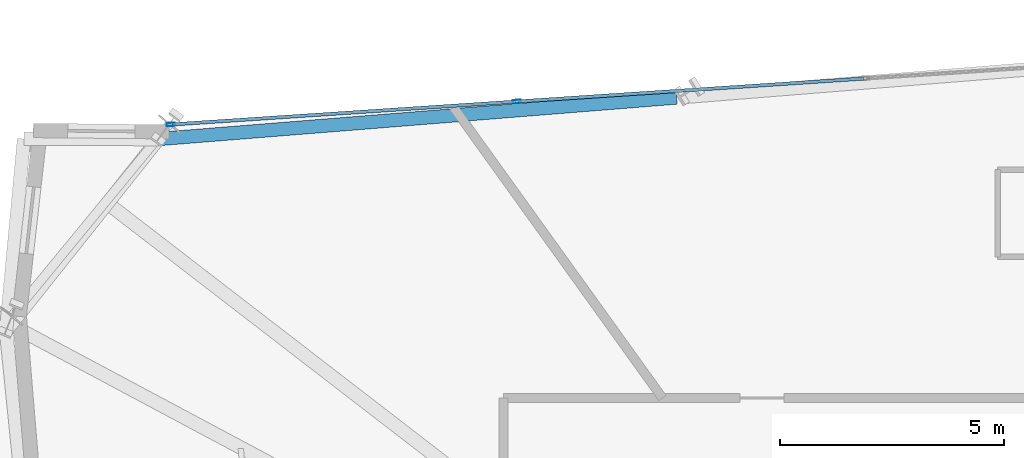
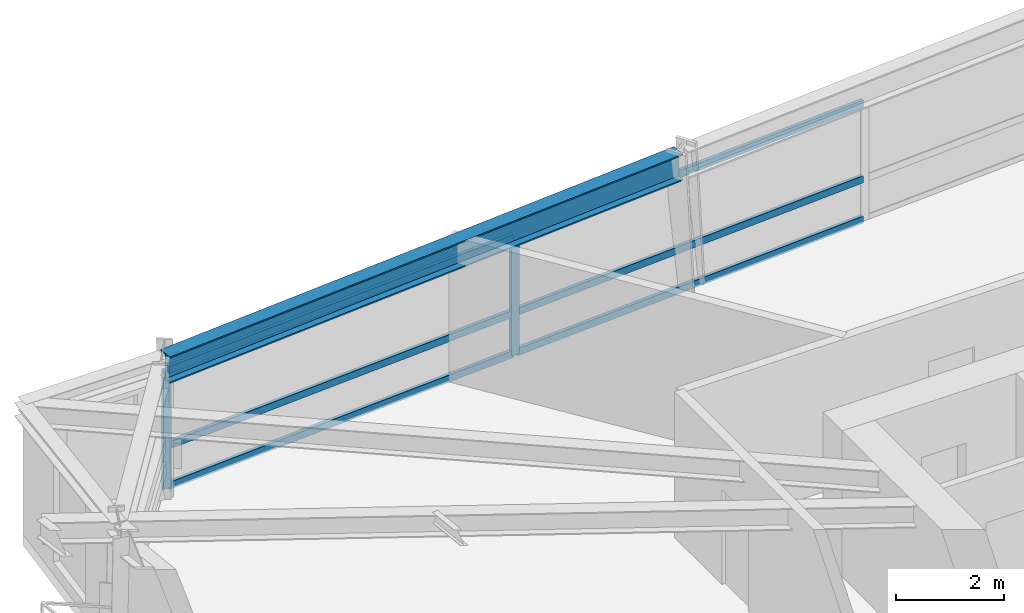
# One storey, part 7 of 21: 8 members, 1 beam, 1 element without a shape of its own.
"""IFC4 building model written with IfcOpenShell, lengths in metres."""

from ifc_helpers import new_model, si_unit, direction, frame, origin, origin_2d, place, context, subcontext, project, spatial, hollow_rectangle, i_section, extrude, source, transform, mapped, material, material_profile, profile_set, type_object, element, aggregate, save


model = new_model("IFC4")

# Units and contexts
model_context = context("Model", 3, precision=1e-05, world=origin(), true_north=direction((0.0, 1.0)))
body_context = subcontext(model_context, "Body", "Model", "MODEL_VIEW")
ifc_project = project(units=[si_unit("LENGTHUNIT", "METRE"), si_unit("AREAUNIT", "SQUARE_METRE"), si_unit("VOLUMEUNIT", "CUBIC_METRE"), si_unit("PLANEANGLEUNIT", "RADIAN"), si_unit("MASSUNIT", "GRAM", prefix="KILO")], contexts=[model_context])

# Site, building, storey
site_placement = place(None, origin())
site = spatial("IfcSite", under=ifc_project, at=site_placement, CompositionType="ELEMENT")
building_placement = place(site_placement, origin())
building = spatial("IfcBuilding", under=site, at=building_placement, Name="Olszyna Solenne Hotel", CompositionType="ELEMENT")
storey_placement = place(building_placement, frame((0.0, 0.0, 109.25)))
storey = spatial("IfcBuildingStorey", under=building, at=storey_placement, Name="L28", CompositionType="ELEMENT", Elevation=109.25)

# Beam
ifc_material_1 = material(Name="Steel S355J2", Category="steel")
ifc_material_profile_1 = material_profile(ifc_material_1, i_section(OverallWidth=0.300048828125, OverallDepth=0.60009765625, WebThickness=0.015380859375, FlangeThickness=0.030029296875, at=origin_2d()), Name="HEB 600", Category="load-bearing")
ifc_profile_set_1 = profile_set([ifc_material_profile_1], Name="Steel S355J2")
beam_type = type_object("IfcBeamType", Name="BM-S2", PredefinedType="BEAM", material=ifc_profile_set_1)
shared_shape_1 = source(origin(), body_context, "Body", "SweptSolid", [
    extrude(i_section(OverallWidth=0.300048828125, OverallDepth=0.60009765625, WebThickness=0.015380859375, FlangeThickness=0.030029296875, at=origin_2d()), origin(), (0.0, 0.0, 1.0), 11.541015625),
])
beam_placement = place(storey_placement, frame((31.308837890625, 43.056396484375, 3.0), z_axis=(-0.996802957591, -0.079899084714, 0.0), x_axis=(0.079899084714, -0.996802957591, 0.0)))
element("IfcBeam", 1, at=beam_placement, inside=storey, type_object=beam_type, Name="Perimeter spandrel beam BM-S2 B-L28-0842", PredefinedType="BEAM", context=body_context, shape_type="MappedRepresentation", body=[
    mapped(shared_shape_1, transform((0.0, 0.0, 0.0), x_axis=(1.0, 0.0, 0.0), y_axis=(0.0, 1.0, 0.0), z_axis=(0.0, 0.0, 1.0), scale=1.0)),
])

# Curtain wall, members
ifc_material_2 = material(Name="Anodised bronze aluminium", Category="aluminium")
curtain_wall_type = type_object("IfcCurtainWallType", Name="CW-SYS-3", PredefinedType="NOTDEFINED", material=ifc_material_2)
curtain_wall_placement = place(storey_placement, origin())
curtain_wall = element("IfcCurtainWall", 2, at=curtain_wall_placement, inside=storey, type_object=curtain_wall_type, Name="Unitised curtain wall CW-SYS-3 CW-L28-02", PredefinedType="NOTDEFINED")
ifc_material_profile_2 = material_profile(ifc_material_2, hollow_rectangle(XDim=0.074951171875, YDim=0.179931640625, WallThickness=0.00439453125, at=origin_2d()), Name="MULL 180x75x4.5", Category="load-bearing")
ifc_profile_set_2 = profile_set([ifc_material_profile_2], Name="Anodised bronze aluminium")
member_type_1 = type_object("IfcMemberType", Name="CW-M2", PredefinedType="MULLION", material=ifc_profile_set_2)
shared_shape_2 = source(origin(), body_context, "Body", "SweptSolid", [
    extrude(hollow_rectangle(XDim=0.074951171875, YDim=0.179931640625, WallThickness=0.00439453125, at=origin_2d()), origin(), (0.0, 0.0, 1.0), 2.69189453125),
])
member_1_placement = place(storey_placement, frame((20.017578125, 42.45361328125, 0.0), z_axis=(0.0, 0.0, 1.0), x_axis=(-0.06620041164, 0.997806346692, 0.0)))
member_1 = element("IfcMember", 3, at=member_1_placement, type_object=member_type_1, Name="Curtain-wall mullion CW-M2 CM-L28-02-01", PredefinedType="MULLION", context=body_context, shape_type="MappedRepresentation", body=[
    mapped(shared_shape_2, transform((0.0, 0.0, 0.0), x_axis=(1.0, 0.0, 0.0), y_axis=(0.0, 1.0, 0.0), z_axis=(0.0, 0.0, 1.0), scale=1.0)),
])
member_2_placement = place(storey_placement, frame((27.74755859375, 42.966552734375, 0.0), z_axis=(0.0, 0.0, 1.0), x_axis=(-0.06620041164, 0.997806346692, 0.0)))
member_2 = element("IfcMember", 4, at=member_2_placement, type_object=member_type_1, Name="Curtain-wall mullion CW-M2 CM-L28-02-02", PredefinedType="MULLION", context=body_context, shape_type="MappedRepresentation", body=[
    mapped(shared_shape_2, transform((0.0, 0.0, 0.0), x_axis=(1.0, 0.0, 0.0), y_axis=(0.0, 1.0, 0.0), z_axis=(0.0, 0.0, 1.0), scale=1.0)),
])
ifc_material_profile_3 = material_profile(ifc_material_2, hollow_rectangle(XDim=0.074951171875, YDim=0.159912109375, WallThickness=0.00390625, at=origin_2d()), Name="TRAN 160x75x4", Category="load-bearing")
ifc_profile_set_3 = profile_set([ifc_material_profile_3], Name="Anodised bronze aluminium")
member_type_2 = type_object("IfcMemberType", Name="CW-T1", PredefinedType="USERDEFINED", material=ifc_profile_set_3)
shared_shape_3 = source(origin(), body_context, "Body", "SweptSolid", [
    extrude(hollow_rectangle(XDim=0.074951171875, YDim=0.159912109375, WallThickness=0.00390625, at=origin_2d()), origin(), (0.0, 0.0, 1.0), 7.672119140625),
])
member_3_placement = place(storey_placement, frame((20.054931640625, 42.4560546875, 0.03759765625), z_axis=(0.997807069006, 0.066189523649, 0.0), x_axis=(-0.066189523649, 0.997807069006, 0.0)))
member_3 = element("IfcMember", 5, at=member_3_placement, type_object=member_type_2, Name="Curtain-wall transom CW-T1 CT-L28-02-01", ObjectType="TRANSOM", PredefinedType="USERDEFINED", context=body_context, shape_type="MappedRepresentation", body=[
    mapped(shared_shape_3, transform((0.0, 0.0, 0.0), x_axis=(1.0, 0.0, 0.0), y_axis=(0.0, 1.0, 0.0), z_axis=(0.0, 0.0, 1.0), scale=1.0)),
])
member_4_placement = place(storey_placement, frame((20.054931640625, 42.4560546875, 0.949951171875), z_axis=(0.997807069006, 0.066189523649, 0.0), x_axis=(-0.066189523649, 0.997807069006, 0.0)))
member_4 = element("IfcMember", 6, at=member_4_placement, type_object=member_type_2, Name="Curtain-wall transom CW-T1 CT-L28-02-02", ObjectType="TRANSOM", PredefinedType="USERDEFINED", context=body_context, shape_type="MappedRepresentation", body=[
    mapped(shared_shape_3, transform((0.0, 0.0, 0.0), x_axis=(1.0, 0.0, 0.0), y_axis=(0.0, 1.0, 0.0), z_axis=(0.0, 0.0, 1.0), scale=1.0)),
])
member_5_placement = place(storey_placement, frame((20.054931640625, 42.4560546875, 2.654541015625), z_axis=(0.997807069006, 0.066189523649, 0.0), x_axis=(-0.066189523649, 0.997807069006, 0.0)))
member_5 = element("IfcMember", 7, at=member_5_placement, type_object=member_type_2, Name="Curtain-wall transom CW-T1 CT-L28-02-03", ObjectType="TRANSOM", PredefinedType="USERDEFINED", context=body_context, shape_type="MappedRepresentation", body=[
    mapped(shared_shape_3, transform((0.0, 0.0, 0.0), x_axis=(1.0, 0.0, 0.0), y_axis=(0.0, 1.0, 0.0), z_axis=(0.0, 0.0, 1.0), scale=1.0)),
])
shared_shape_4 = source(origin(), body_context, "Body", "SweptSolid", [
    extrude(hollow_rectangle(XDim=0.074951171875, YDim=0.159912109375, WallThickness=0.00390625, at=origin_2d()), origin(), (0.0, 0.0, 1.0), 7.70947265625),
])
member_6_placement = place(storey_placement, frame((27.784912109375, 42.968994140625, 0.03759765625), z_axis=(0.997807381152, 0.066184817881, 0.0), x_axis=(-0.066184817881, 0.997807381152, 0.0)))
member_6 = element("IfcMember", 8, at=member_6_placement, type_object=member_type_2, Name="Curtain-wall transom CW-T1 CT-L28-02-04", ObjectType="TRANSOM", PredefinedType="USERDEFINED", context=body_context, shape_type="MappedRepresentation", body=[
    mapped(shared_shape_4, transform((0.0, 0.0, 0.0), x_axis=(1.0, 0.0, 0.0), y_axis=(0.0, 1.0, 0.0), z_axis=(0.0, 0.0, 1.0), scale=1.0)),
])
member_7_placement = place(storey_placement, frame((27.784912109375, 42.968994140625, 0.949951171875), z_axis=(0.997807381152, 0.066184817881, 0.0), x_axis=(-0.066184817881, 0.997807381152, 0.0)))
member_7 = element("IfcMember", 9, at=member_7_placement, type_object=member_type_2, Name="Curtain-wall transom CW-T1 CT-L28-02-05", ObjectType="TRANSOM", PredefinedType="USERDEFINED", context=body_context, shape_type="MappedRepresentation", body=[
    mapped(shared_shape_4, transform((0.0, 0.0, 0.0), x_axis=(1.0, 0.0, 0.0), y_axis=(0.0, 1.0, 0.0), z_axis=(0.0, 0.0, 1.0), scale=1.0)),
])
member_8_placement = place(storey_placement, frame((27.784912109375, 42.968994140625, 2.654541015625), z_axis=(0.997807381152, 0.066184817881, 0.0), x_axis=(-0.066184817881, 0.997807381152, 0.0)))
member_8 = element("IfcMember", 10, at=member_8_placement, type_object=member_type_2, Name="Curtain-wall transom CW-T1 CT-L28-02-06", ObjectType="TRANSOM", PredefinedType="USERDEFINED", context=body_context, shape_type="MappedRepresentation", body=[
    mapped(shared_shape_4, transform((0.0, 0.0, 0.0), x_axis=(1.0, 0.0, 0.0), y_axis=(0.0, 1.0, 0.0), z_axis=(0.0, 0.0, 1.0), scale=1.0)),
])
aggregate(curtain_wall, [member_1, member_2, member_3, member_4, member_5, member_6, member_7, member_8])

save(model, "model.ifc")
